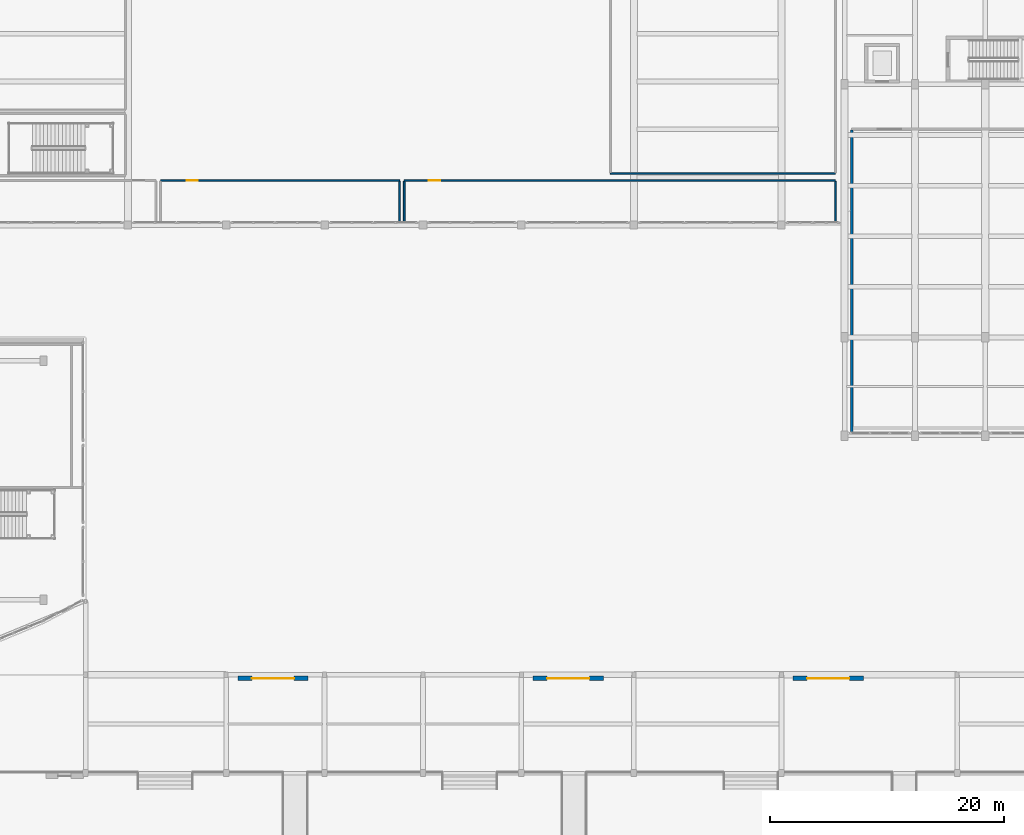
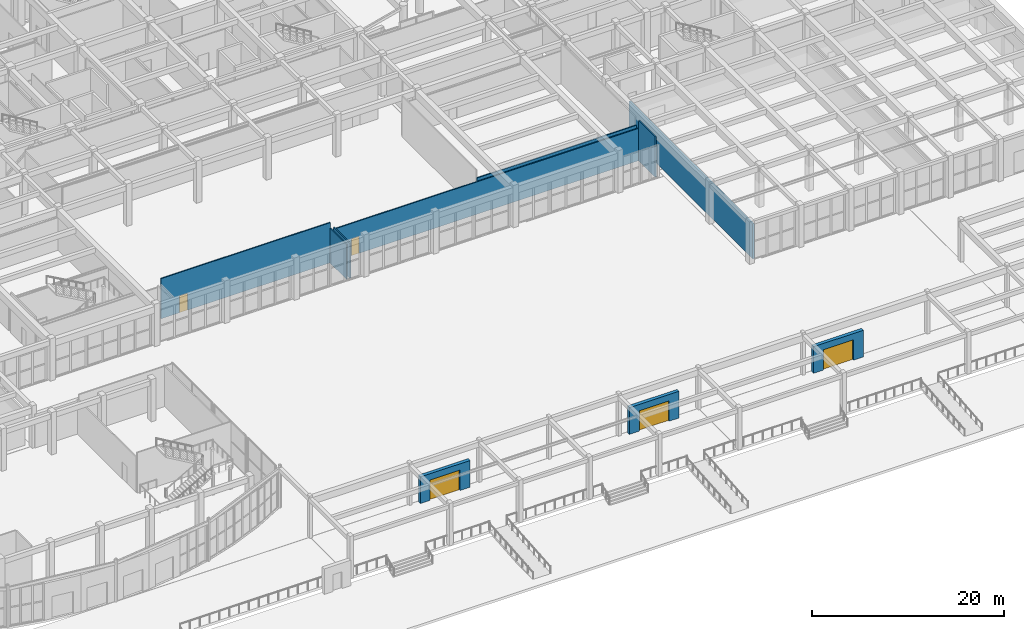
# One storey, part 68 of 98: 10 walls, 5 doors, 5 openings.
"""IFC4 building model written with IfcOpenShell, lengths in metres."""

from ifc_helpers import new_model, si_unit, direction, frame, frame_2d, origin, place, context, subcontext, project, spatial, rectangle, extrude, material, layer, layer_set, type_object, element, fill, save


model = new_model("IFC4")

# Units and contexts
model_context = context("Model", 3, precision=1e-05, world=origin(), true_north=direction((0.0, 1.0)))
body_context = subcontext(model_context, "Body", "Model", "MODEL_VIEW")
ifc_project = project(units=[si_unit("LENGTHUNIT", "METRE"), si_unit("AREAUNIT", "SQUARE_METRE"), si_unit("VOLUMEUNIT", "CUBIC_METRE"), si_unit("PLANEANGLEUNIT", "RADIAN"), si_unit("MASSUNIT", "GRAM", prefix="KILO")], contexts=[model_context])

# Site, building, storey
site_placement = place(None, origin())
site = spatial("IfcSite", under=ifc_project, at=site_placement, CompositionType="ELEMENT")
building_placement = place(site_placement, origin())
building = spatial("IfcBuilding", under=site, at=building_placement, Name="Tarnavel Promenade Courthouse", CompositionType="ELEMENT")
storey_placement = place(building_placement, origin())
storey = spatial("IfcBuildingStorey", under=building, at=storey_placement, Name="L01", CompositionType="ELEMENT", Elevation=0.0)

# Wall, opening, door
ifc_material_1 = material(Name="Cream Brick Insulated Cavity Facade Assembly", Category="masonry")
ifc_layer_1 = layer(ifc_material_1, 0.409912109375)
ifc_layer_set_1 = layer_set([ifc_layer_1], Name="Cream Brick Insulated Cavity Facade Assembly")
wall_type_1 = type_object("IfcWallType", Name="Cream Brick Insulated Cavity Facade Assembly WL-EXT-410 (410 mm)", PredefinedType="STANDARD", material=ifc_layer_set_1)
wall_1_placement = place(storey_placement, frame((68.199951171875, 8.10009765625, 0.0), z_axis=(0.0, 0.0, 1.0), x_axis=(1.0, 0.0, 0.0)))
wall_1 = element("IfcWall", 1, at=wall_1_placement, inside=storey, type_object=wall_type_1, Name="L01 Colonnade Forecourt Screen Wall 1 0431", PredefinedType="STANDARD", context=body_context, shape_type="SweptSolid", body=[
    extrude(rectangle(XDim=6.0, YDim=0.409912109375, at=frame_2d((3.0, 0.0))), origin(), (0.0, 0.0, 1.0), 3.39990234375),
])
opening_1_placement = place(wall_1_placement, frame((1.199951171875, 0.0, 0.0)))
opening_1 = element("IfcOpeningElement", 2, at=opening_1_placement, cuts=wall_1, Name="Opening GT-03", PredefinedType="OPENING", context=body_context, shape_type="SweptSolid", body=[
    extrude(rectangle(XDim=3.60009765625, YDim=2.60009765625, at=frame_2d((1.800048828125, 1.300048828125))), frame((0.0, 0.21484375, 0.0), z_axis=(0.0, -1.0, 0.0), x_axis=(1.0, 0.0, 0.0)), (0.0, 0.0, 1.0), 0.429931640625),
])
ifc_material_2 = material(Name="Wrought Bronze Courtyard Security Gate")
door_type_1 = type_object("IfcDoorType", Name="Wrought Bronze Courtyard Security Gate (GT-VIS-3600x2600)", OperationType="NOTDEFINED", PredefinedType="GATE", material=ifc_material_2)
door_1_placement = place(opening_1_placement, origin())
door_1 = element("IfcDoor", 3, at=door_1_placement, inside=storey, type_object=door_type_1, Name="Colonnade Forecourt Security Gate 01", OperationType="DOUBLE_DOOR_SINGLE_SWING", OverallHeight=2.60009765625, OverallWidth=3.60009765625, PredefinedType="GATE", context=body_context, shape_type="SweptSolid", body=[
    extrude(rectangle(XDim=3.60009765625, YDim=2.60009765625, at=frame_2d((1.800048828125, 1.300048828125))), frame((0.0, 0.02490234375, 0.0), z_axis=(0.0, -1.0, 0.0), x_axis=(1.0, 0.0, 0.0)), (0.0, 0.0, 1.0), 0.050048828125),
])
fill(opening_1, door_1)

wall_2_placement = place(storey_placement, frame((93.39990234375, 8.10009765625, 0.0), z_axis=(0.0, 0.0, 1.0), x_axis=(1.0, 0.0, 0.0)))
wall_2 = element("IfcWall", 4, at=wall_2_placement, inside=storey, type_object=wall_type_1, Name="L01 Colonnade Forecourt Screen Wall 2 0432", PredefinedType="STANDARD", context=body_context, shape_type="SweptSolid", body=[
    extrude(rectangle(XDim=6.0, YDim=0.409912109375, at=frame_2d((3.0, 0.0))), origin(), (0.0, 0.0, 1.0), 3.39990234375),
])
opening_2_placement = place(wall_2_placement, frame((1.199951171875, 0.0, 0.0)))
opening_2 = element("IfcOpeningElement", 5, at=opening_2_placement, cuts=wall_2, Name="Opening GT-03", PredefinedType="OPENING", context=body_context, shape_type="SweptSolid", body=[
    extrude(rectangle(XDim=3.60009765625, YDim=2.60009765625, at=frame_2d((1.800048828125, 1.300048828125))), frame((0.0, 0.21484375, 0.0), z_axis=(0.0, -1.0, 0.0), x_axis=(1.0, 0.0, 0.0)), (0.0, 0.0, 1.0), 0.429931640625),
])
door_2_placement = place(opening_2_placement, origin())
door_2 = element("IfcDoor", 6, at=door_2_placement, inside=storey, type_object=door_type_1, Name="Colonnade Forecourt Security Gate 02", OperationType="DOUBLE_DOOR_SINGLE_SWING", OverallHeight=2.60009765625, OverallWidth=3.60009765625, PredefinedType="GATE", context=body_context, shape_type="SweptSolid", body=[
    extrude(rectangle(XDim=3.60009765625, YDim=2.60009765625, at=frame_2d((1.800048828125, 1.300048828125))), frame((0.0, 0.02490234375, 0.0), z_axis=(0.0, -1.0, 0.0), x_axis=(1.0, 0.0, 0.0)), (0.0, 0.0, 1.0), 0.050048828125),
])
fill(opening_2, door_2)

wall_3_placement = place(storey_placement, frame((115.60009765625, 8.10009765625, 0.0), z_axis=(0.0, 0.0, 1.0), x_axis=(1.0, 0.0, 0.0)))
wall_3 = element("IfcWall", 7, at=wall_3_placement, inside=storey, type_object=wall_type_1, Name="L01 Colonnade Forecourt Screen Wall 3 0433", PredefinedType="STANDARD", context=body_context, shape_type="SweptSolid", body=[
    extrude(rectangle(XDim=6.0, YDim=0.409912109375, at=frame_2d((3.0, 0.0))), origin(), (0.0, 0.0, 1.0), 3.39990234375),
])
opening_3_placement = place(wall_3_placement, frame((1.199951171875, 0.0, 0.0)))
opening_3 = element("IfcOpeningElement", 8, at=opening_3_placement, cuts=wall_3, Name="Opening GT-03", PredefinedType="OPENING", context=body_context, shape_type="SweptSolid", body=[
    extrude(rectangle(XDim=3.60009765625, YDim=2.60009765625, at=frame_2d((1.800048828125, 1.300048828125))), frame((0.0, 0.21484375, 0.0), z_axis=(0.0, -1.0, 0.0), x_axis=(1.0, 0.0, 0.0)), (0.0, 0.0, 1.0), 0.429931640625),
])
door_3_placement = place(opening_3_placement, origin())
door_3 = element("IfcDoor", 9, at=door_3_placement, inside=storey, type_object=door_type_1, Name="Colonnade Forecourt Security Gate 03", OperationType="DOUBLE_DOOR_SINGLE_SWING", OverallHeight=2.60009765625, OverallWidth=3.60009765625, PredefinedType="GATE", context=body_context, shape_type="SweptSolid", body=[
    extrude(rectangle(XDim=3.60009765625, YDim=2.60009765625, at=frame_2d((1.800048828125, 1.300048828125))), frame((0.0, 0.02490234375, 0.0), z_axis=(0.0, -1.0, 0.0), x_axis=(1.0, 0.0, 0.0)), (0.0, 0.0, 1.0), 0.050048828125),
])
fill(opening_3, door_3)

# Wall
ifc_material_3 = material(Name="Double-Stud Acoustic Courtroom Partition Assembly", Category="gypsum")
ifc_layer_2 = layer(ifc_material_3, 0.18505859375)
ifc_layer_set_2 = layer_set([ifc_layer_2], Name="Double-Stud Acoustic Courtroom Partition Assembly")
wall_type_2 = type_object("IfcWallType", Name="Double-Stud Acoustic Courtroom Partition Assembly WL-CRT-185 (185 mm)", PredefinedType="PARTITIONING", material=ifc_layer_set_2)
wall_4_placement = place(storey_placement, frame((120.60009765625, 29.110107421875, 0.0), z_axis=(0.0, 0.0, 1.0), x_axis=(0.0, 1.0, 0.0)))
element("IfcWall", 10, at=wall_4_placement, inside=storey, type_object=wall_type_2, Name="L01 Constitutional Hearing Courtroom Partition 0199", PredefinedType="PARTITIONING", context=body_context, shape_type="SweptSolid", body=[
    extrude(rectangle(XDim=25.787353515625, YDim=0.18505859375, at=frame_2d((12.8935546875, 0.0))), origin(), (0.0, 0.0, 1.0), 4.469970703125),
])

# Wall, opening, door
ifc_material_4 = material(Name="Metal-Stud Acoustic Gypsum Partition", Category="gypsum")
ifc_layer_3 = layer(ifc_material_4, 0.135009765625)
ifc_layer_set_3 = layer_set([ifc_layer_3], Name="Metal-Stud Acoustic Gypsum Partition")
wall_type_3 = type_object("IfcWallType", Name="Metal-Stud Acoustic Gypsum Partition WL-OFF-135 (135 mm)", PredefinedType="PARTITIONING", material=ifc_layer_set_3)
wall_5_placement = place(storey_placement, frame((61.60009765625, 50.60009765625, 0.0), z_axis=(0.0, 0.0, 1.0), x_axis=(1.0, 0.0, 0.0)))
wall_5 = element("IfcWall", 11, at=wall_5_placement, inside=storey, type_object=wall_type_3, Name="L01 Cafe and Civic Refreshment Salon Partition 0170", PredefinedType="PARTITIONING", context=body_context, shape_type="SweptSolid", body=[
    extrude(rectangle(XDim=20.39990234375, YDim=0.135009765625, at=frame_2d((10.199951171875, 0.0))), origin(), (0.0, 0.0, 1.0), 5.125),
])
opening_4_placement = place(wall_5_placement, frame((2.22509765625, 0.0, 0.0)))
opening_4 = element("IfcOpeningElement", 12, at=opening_4_placement, cuts=wall_5, Name="Opening ID-06", PredefinedType="OPENING", context=body_context, shape_type="SweptSolid", body=[
    extrude(rectangle(XDim=0.949951171875, YDim=2.14990234375, at=frame_2d((0.47509765625, 1.074951171875))), frame((0.0, 0.077392578125, 0.0), z_axis=(0.0, -1.0, 0.0), x_axis=(1.0, 0.0, 0.0)), (0.0, 0.0, 1.0), 0.155029296875),
])
ifc_material_5 = material(Name="Acoustic Timber Veneer Office Door", Category="wood")
door_type_2 = type_object("IfcDoorType", Name="Acoustic Timber Veneer Office Door (DR-OFF-0950x2150)", OperationType="NOTDEFINED", PredefinedType="DOOR", material=ifc_material_5)
door_4_placement = place(opening_4_placement, origin())
door_4 = element("IfcDoor", 13, at=door_4_placement, inside=storey, type_object=door_type_2, Name="L01 Cafe and Civic Refreshment Salon Door 0049", OperationType="SINGLE_SWING_RIGHT", OverallHeight=2.14990234375, OverallWidth=0.949951171875, PredefinedType="DOOR", context=body_context, shape_type="SweptSolid", body=[
    extrude(rectangle(XDim=0.949951171875, YDim=2.14990234375, at=frame_2d((0.47509765625, 1.074951171875))), frame((0.0, 0.02490234375, 0.0), z_axis=(0.0, -1.0, 0.0), x_axis=(1.0, 0.0, 0.0)), (0.0, 0.0, 1.0), 0.050048828125),
])
fill(opening_4, door_4)

# Wall
wall_6_placement = place(storey_placement, frame((82.0, 50.5224609375, 0.0), z_axis=(0.0, 0.0, 1.0), x_axis=(0.0, -1.0, 0.0)))
element("IfcWall", 14, at=wall_6_placement, inside=storey, type_object=wall_type_3, Name="L01 Cafe and Civic Refreshment Salon Partition 0172", PredefinedType="PARTITIONING", context=body_context, shape_type="SweptSolid", body=[
    extrude(rectangle(XDim=3.432373046875, YDim=0.135009765625, at=frame_2d((1.71630859375, 0.0))), origin(), (0.0, 0.0, 1.0), 4.429931640625),
])

# Wall, opening, door
wall_7_placement = place(storey_placement, frame((82.39990234375, 50.60009765625, 0.0), z_axis=(0.0, 0.0, 1.0), x_axis=(1.0, 0.0, 0.0)))
wall_7 = element("IfcWall", 15, at=wall_7_placement, inside=storey, type_object=wall_type_3, Name="L01 Community Room and Civic Education Salon Partition 0173", PredefinedType="PARTITIONING", context=body_context, shape_type="SweptSolid", body=[
    extrude(rectangle(XDim=36.800048828125, YDim=0.135009765625, at=frame_2d((18.39990234375, 0.0))), origin(), (0.0, 0.0, 1.0), 4.1298828125),
])
opening_5_placement = place(wall_7_placement, frame((2.107421875, 0.0, 0.0)))
opening_5 = element("IfcOpeningElement", 16, at=opening_5_placement, cuts=wall_7, Name="Opening ID-06", PredefinedType="OPENING", context=body_context, shape_type="SweptSolid", body=[
    extrude(rectangle(XDim=0.949951171875, YDim=2.14990234375, at=frame_2d((0.47509765625, 1.074951171875))), frame((0.0, 0.077392578125, 0.0), z_axis=(0.0, -1.0, 0.0), x_axis=(1.0, 0.0, 0.0)), (0.0, 0.0, 1.0), 0.155029296875),
])
door_5_placement = place(opening_5_placement, origin())
door_5 = element("IfcDoor", 17, at=door_5_placement, inside=storey, type_object=door_type_2, Name="L01 Community Room and Civic Education Salon Door 0050", OperationType="SINGLE_SWING_LEFT", OverallHeight=2.14990234375, OverallWidth=0.949951171875, PredefinedType="DOOR", context=body_context, shape_type="SweptSolid", body=[
    extrude(rectangle(XDim=0.949951171875, YDim=2.14990234375, at=frame_2d((0.47509765625, 1.074951171875))), frame((0.0, 0.02490234375, 0.0), z_axis=(0.0, -1.0, 0.0), x_axis=(1.0, 0.0, 0.0)), (0.0, 0.0, 1.0), 0.050048828125),
])
fill(opening_5, door_5)

# Walls
wall_8_placement = place(storey_placement, frame((82.39990234375, 47.090087890625, 0.0), z_axis=(0.0, 0.0, 1.0), x_axis=(0.0, 1.0, 0.0)))
element("IfcWall", 18, at=wall_8_placement, inside=storey, type_object=wall_type_3, Name="L01 Community Room and Civic Education Salon Partition 0174", PredefinedType="PARTITIONING", context=body_context, shape_type="SweptSolid", body=[
    extrude(rectangle(XDim=3.432373046875, YDim=0.135009765625, at=frame_2d((1.71630859375, 0.0))), origin(), (0.0, 0.0, 1.0), 4.429931640625),
])
wall_9_placement = place(storey_placement, frame((119.199951171875, 50.5224609375, 0.0), z_axis=(0.0, 0.0, 1.0), x_axis=(0.0, -1.0, 0.0)))
element("IfcWall", 19, at=wall_9_placement, inside=storey, type_object=wall_type_3, Name="L01 Community Room and Civic Education Salon Partition 0175", PredefinedType="PARTITIONING", context=body_context, shape_type="SweptSolid", body=[
    extrude(rectangle(XDim=3.432373046875, YDim=0.135009765625, at=frame_2d((1.71630859375, 0.0))), origin(), (0.0, 0.0, 1.0), 5.125),
])
wall_10_placement = place(storey_placement, frame((119.199951171875, 51.199951171875, 0.0), z_axis=(0.0, 0.0, 1.0), x_axis=(-1.0, 0.0, 0.0)))
element("IfcWall", 20, at=wall_10_placement, inside=storey, type_object=wall_type_3, Name="L01 Citizens' Legal Information Centre Partition 0189", PredefinedType="PARTITIONING", context=body_context, shape_type="SweptSolid", body=[
    extrude(rectangle(XDim=19.199951171875, YDim=0.135009765625, at=frame_2d((9.60009765625, 0.0))), origin(), (0.0, 0.0, 1.0), 4.1298828125),
])

save(model, "model.ifc")
